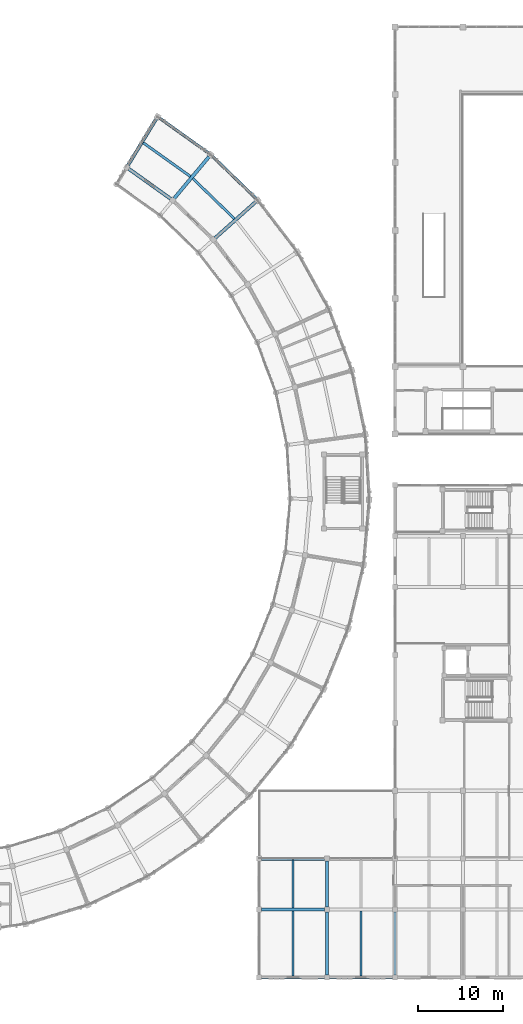
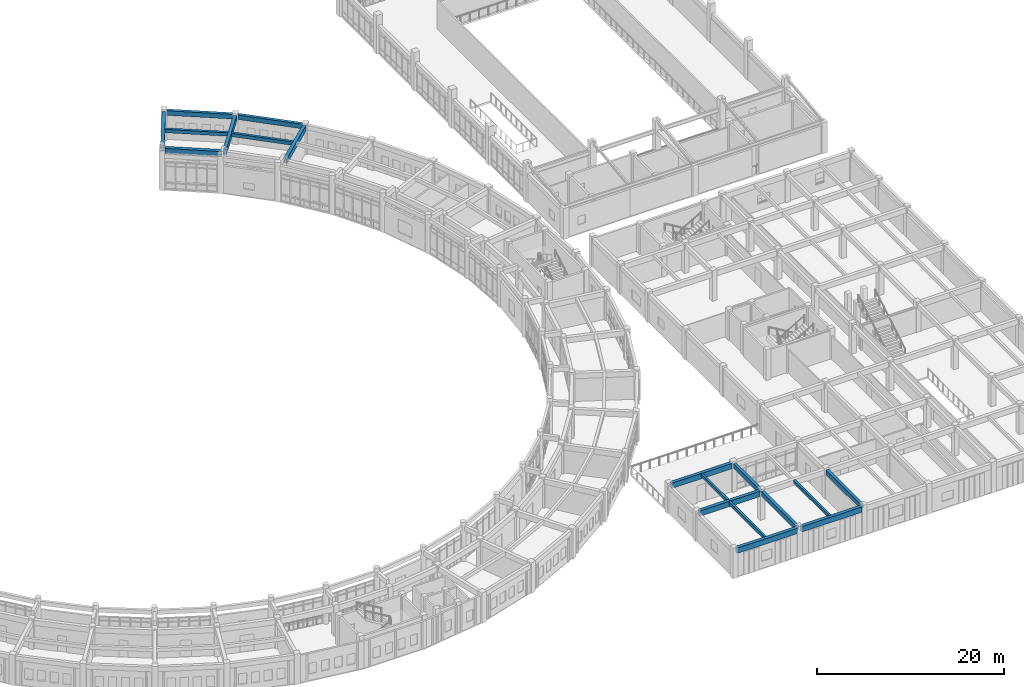
# One storey, part 80 of 159: 18 beams.
"""IFC4 building model written with IfcOpenShell, lengths in metres."""

from ifc_helpers import new_model, si_unit, direction, frame, origin, origin_2d, place, context, subcontext, project, spatial, rectangle, extrude, material, material_profile, profile_set, type_object, element, save


model = new_model("IFC4")

# Units and contexts
model_context = context("Model", 3, precision=1e-05, world=origin(), true_north=direction((0.0, 1.0)))
body_context = subcontext(model_context, "Body", "Model", "MODEL_VIEW")
ifc_project = project(units=[si_unit("LENGTHUNIT", "METRE"), si_unit("AREAUNIT", "SQUARE_METRE"), si_unit("VOLUMEUNIT", "CUBIC_METRE"), si_unit("PLANEANGLEUNIT", "RADIAN"), si_unit("MASSUNIT", "GRAM", prefix="KILO")], contexts=[model_context])

# Site, building, storey
site_placement = place(None, origin())
site = spatial("IfcSite", under=ifc_project, at=site_placement, CompositionType="ELEMENT")
building_placement = place(site_placement, origin())
building = spatial("IfcBuilding", under=site, at=building_placement, Name="Celadon Cloister-Ring School", CompositionType="ELEMENT")
storey_placement = place(building_placement, frame((0.0, 0.0, 4.5)))
storey = spatial("IfcBuildingStorey", under=building, at=storey_placement, Name="L01", CompositionType="ELEMENT", Elevation=4.5)

# Beams
ifc_material_1 = material(Name="Concrete C35/45", Category="concrete")
ifc_material_profile_1 = material_profile(ifc_material_1, rectangle(XDim=0.35009765625, YDim=0.60009765625, at=origin_2d()), Name="RC350X600")
ifc_profile_set_1 = profile_set([ifc_material_profile_1], Name="Concrete C35/45")
beam_type_1 = type_object("IfcBeamType", Name="BT-02", PredefinedType="BEAM", material=ifc_profile_set_1)
beam_1_placement = place(storey_placement, frame((134.0, 2.27490234375, 3.4599609375), z_axis=(0.0, 1.0, 0.0), x_axis=(-1.0, 0.0, 0.0)))
element("IfcBeam", 1, at=beam_1_placement, inside=storey, type_object=beam_type_1, Name="Beam 1318", PredefinedType="BEAM", context=body_context, shape_type="SweptSolid", body=[
    extrude(rectangle(XDim=0.35009765625, YDim=0.60009765625, at=origin_2d()), origin(), (0.0, 0.0, 1.0), 7.4501953125),
])
beam_2_placement = place(storey_placement, frame((134.0, 10.27490234375, 3.4599609375), z_axis=(0.0, 1.0, 0.0), x_axis=(-1.0, 0.0, 0.0)))
element("IfcBeam", 2, at=beam_2_placement, inside=storey, type_object=beam_type_1, Name="Beam 1319", PredefinedType="BEAM", context=body_context, shape_type="SweptSolid", body=[
    extrude(rectangle(XDim=0.35009765625, YDim=0.60009765625, at=origin_2d()), origin(), (0.0, 0.0, 1.0), 5.4501953125),
])
beam_3_placement = place(storey_placement, frame((142.0, 2.27490234375, 3.4599609375), z_axis=(0.0, 1.0, 0.0), x_axis=(-1.0, 0.0, 0.0)))
element("IfcBeam", 3, at=beam_3_placement, inside=storey, type_object=beam_type_1, Name="Beam 1320", PredefinedType="BEAM", context=body_context, shape_type="SweptSolid", body=[
    extrude(rectangle(XDim=0.35009765625, YDim=0.60009765625, at=origin_2d()), origin(), (0.0, 0.0, 1.0), 7.4501953125),
])
ifc_material_2 = material(Name="Concrete C35/45", Category="concrete")
ifc_material_profile_2 = material_profile(ifc_material_2, rectangle(XDim=0.39990234375, YDim=0.699951171875, at=origin_2d()), Name="RC400X700")
ifc_profile_set_2 = profile_set([ifc_material_profile_2], Name="Concrete C35/45")
beam_type_2 = type_object("IfcBeamType", Name="GT-03", PredefinedType="USERDEFINED", material=ifc_profile_set_2)
beam_4_placement = place(storey_placement, frame((125.60791015625, 93.384033203125, 3.429931640625), z_axis=(-0.746775820792, -0.665075840398, 0.0), x_axis=(0.665075840398, -0.746775820792, 0.0)))
element("IfcBeam", 4, at=beam_4_placement, inside=storey, type_object=beam_type_2, Name="Beam 0261", ObjectType="GIRDER", PredefinedType="USERDEFINED", context=body_context, shape_type="SweptSolid", body=[
    extrude(rectangle(XDim=0.39990234375, YDim=0.699951171875, at=origin_2d()), origin(), (0.0, 0.0, 1.0), 6.4248046875),
])
beam_5_placement = place(storey_placement, frame((120.10498046875, 98.7109375, 3.429931640625), z_axis=(-0.640318943217, -0.768109140003, 0.0), x_axis=(0.768109140003, -0.640318943217, 0.0)))
element("IfcBeam", 5, at=beam_5_placement, inside=storey, type_object=beam_type_2, Name="Beam 0263", ObjectType="GIRDER", PredefinedType="USERDEFINED", context=body_context, shape_type="SweptSolid", body=[
    extrude(rectangle(XDim=0.39990234375, YDim=0.699951171875, at=origin_2d()), origin(), (0.0, 0.0, 1.0), 6.425048828125),
])
beam_6_placement = place(storey_placement, frame((113.875, 103.166015625, 3.429931640625), z_axis=(-0.519827607183, -0.854271185754, 0.0), x_axis=(0.854271185754, -0.519827607183, 0.0)))
element("IfcBeam", 6, at=beam_6_placement, inside=storey, type_object=beam_type_2, Name="Beam 0265", ObjectType="GIRDER", PredefinedType="USERDEFINED", context=body_context, shape_type="SweptSolid", body=[
    extrude(rectangle(XDim=0.39990234375, YDim=0.699951171875, at=origin_2d()), origin(), (0.0, 0.0, 1.0), 6.42529296875),
])
beam_7_placement = place(storey_placement, frame((115.591064453125, 93.72509765625, 3.429931640625), z_axis=(-0.813482549001, 0.581589324585, 0.0), x_axis=(-0.581589324585, -0.813482549001, 0.0)))
element("IfcBeam", 7, at=beam_7_placement, inside=storey, type_object=beam_type_2, Name="Beam 0394", ObjectType="GIRDER", PredefinedType="USERDEFINED", context=body_context, shape_type="SweptSolid", body=[
    extrude(rectangle(XDim=0.39990234375, YDim=0.699951171875, at=origin_2d()), origin(), (0.0, 0.0, 1.0), 6.11572265625),
])
for number, where, z_axis, x_axis, name in (
    (8, (126.27490234375, 2.0, 3.409912109375), (1.0, 0.0, 0.0), (0.0, 1.0, 0.0), "Beam 1282"),
    (9, (134.27490234375, 2.0, 3.409912109375), (1.0, 0.0, 0.0), (0.0, 1.0, 0.0), "Beam 1283"),
    (10, (126.27490234375, 10.0, 3.409912109375), (1.0, 0.0, 0.0), (0.0, 1.0, 0.0), "Beam 1288"),
    (11, (126.27490234375, 16.0, 3.409912109375), (1.0, 0.0, 0.0), (0.0, 1.0, 0.0), "Beam 1294"),
):
    element("IfcBeam", number, at=place(storey_placement, frame(where, z_axis=z_axis, x_axis=x_axis)), inside=storey, type_object=beam_type_2, Name=name, ObjectType="GIRDER", PredefinedType="USERDEFINED", context=body_context, shape_type="SweptSolid", body=[
        extrude(rectangle(XDim=0.39990234375, YDim=0.699951171875, at=origin_2d()), origin(), (0.0, 0.0, 1.0), 7.4501953125),
    ])
ifc_material_3 = material(Name="Concrete C35/45", Category="concrete")
ifc_material_profile_3 = material_profile(ifc_material_3, rectangle(XDim=0.300048828125, YDim=0.449951171875, at=origin_2d()), Name="RC300X450")
ifc_profile_set_3 = profile_set([ifc_material_profile_3], Name="Concrete C35/45")
beam_type_3 = type_object("IfcBeamType", Name="JT-01", PredefinedType="JOIST", material=ifc_profile_set_3)
beam_8_placement = place(storey_placement, frame((123.093017578125, 91.3779296875, 3.554931640625), z_axis=(-0.718568166396, 0.695456533683, 0.0), x_axis=(-0.695456533683, -0.718568166396, 0.0)))
element("IfcBeam", 12, at=beam_8_placement, inside=storey, type_object=beam_type_3, Name="Beam 0392", PredefinedType="JOIST", context=body_context, shape_type="SweptSolid", body=[
    extrude(rectangle(XDim=0.300048828125, YDim=0.449951171875, at=origin_2d()), origin(), (0.0, 0.0, 1.0), 6.834716796875),
])
beam_9_placement = place(storey_placement, frame((117.9140625, 96.35498046875, 3.554931640625), z_axis=(-0.813530711364, 0.581521952868, 0.0), x_axis=(-0.581521952868, -0.813530711364, 0.0)))
element("IfcBeam", 13, at=beam_9_placement, inside=storey, type_object=beam_type_3, Name="Beam 0396", PredefinedType="JOIST", context=body_context, shape_type="SweptSolid", body=[
    extrude(rectangle(XDim=0.300048828125, YDim=0.449951171875, at=origin_2d()), origin(), (0.0, 0.0, 1.0), 6.835693359375),
])
ifc_material_4 = material(Name="Concrete C35/45", Category="concrete")
ifc_material_profile_4 = material_profile(ifc_material_4, rectangle(XDim=0.25, YDim=0.39990234375, at=origin_2d()), Name="RC250X400")
ifc_profile_set_4 = profile_set([ifc_material_profile_4], Name="Concrete C35/45")
beam_type_4 = type_object("IfcBeamType", Name="JT-02", PredefinedType="JOIST", material=ifc_profile_set_4)
beam_10_placement = place(storey_placement, frame((130.0, 2.175048828125, 3.56005859375), z_axis=(0.0, 1.0, 0.0), x_axis=(-1.0, 0.0, 0.0)))
element("IfcBeam", 14, at=beam_10_placement, inside=storey, type_object=beam_type_4, Name="Beam 1356", PredefinedType="JOIST", context=body_context, shape_type="SweptSolid", body=[
    extrude(rectangle(XDim=0.25, YDim=0.39990234375, at=origin_2d()), origin(), (0.0, 0.0, 1.0), 7.64990234375),
])
beam_11_placement = place(storey_placement, frame((130.0, 10.175048828125, 3.56005859375), z_axis=(0.0, 1.0, 0.0), x_axis=(-1.0, 0.0, 0.0)))
element("IfcBeam", 15, at=beam_11_placement, inside=storey, type_object=beam_type_4, Name="Beam 1357", PredefinedType="JOIST", context=body_context, shape_type="SweptSolid", body=[
    extrude(rectangle(XDim=0.25, YDim=0.39990234375, at=origin_2d()), origin(), (0.0, 0.0, 1.0), 5.64990234375),
])
beam_12_placement = place(storey_placement, frame((138.0, 2.175048828125, 3.56005859375), z_axis=(0.0, 1.0, 0.0), x_axis=(-1.0, 0.0, 0.0)))
element("IfcBeam", 16, at=beam_12_placement, inside=storey, type_object=beam_type_4, Name="Beam 1358", PredefinedType="JOIST", context=body_context, shape_type="SweptSolid", body=[
    extrude(rectangle(XDim=0.25, YDim=0.39990234375, at=origin_2d()), origin(), (0.0, 0.0, 1.0), 7.64990234375),
])
ifc_material_5 = material(Name="Concrete C35/45", Category="concrete")
ifc_material_profile_5 = material_profile(ifc_material_5, rectangle(XDim=0.35009765625, YDim=0.60009765625, at=origin_2d()), Name="RC350X600")
ifc_profile_set_5 = profile_set([ifc_material_profile_5], Name="Concrete C35/45")
beam_type_5 = type_object("IfcBeamType", Name="SP-01", PredefinedType="SPANDREL", material=ifc_profile_set_5)
beam_13_placement = place(storey_placement, frame((125.615966796875, 93.79296875, 3.47998046875), z_axis=(-0.718563347937, 0.695461512236, 0.0), x_axis=(-0.695461512236, -0.718563347937, 0.0)))
element("IfcBeam", 17, at=beam_13_placement, inside=storey, type_object=beam_type_5, Name="Beam 0389", PredefinedType="SPANDREL", context=body_context, shape_type="SweptSolid", body=[
    extrude(rectangle(XDim=0.35009765625, YDim=0.60009765625, at=origin_2d()), origin(), (0.0, 0.0, 1.0), 7.101806640625),
])
beam_14_placement = place(storey_placement, frame((120.052978515625, 99.115966796875, 3.47998046875), z_axis=(-0.813473280121, 0.581602288965, 0.0), x_axis=(-0.581602288965, -0.813473280121, 0.0)))
element("IfcBeam", 18, at=beam_14_placement, inside=storey, type_object=beam_type_5, Name="Beam 0393", PredefinedType="SPANDREL", context=body_context, shape_type="SweptSolid", body=[
    extrude(rectangle(XDim=0.35009765625, YDim=0.60009765625, at=origin_2d()), origin(), (0.0, 0.0, 1.0), 7.10302734375),
])

save(model, "model.ifc")
